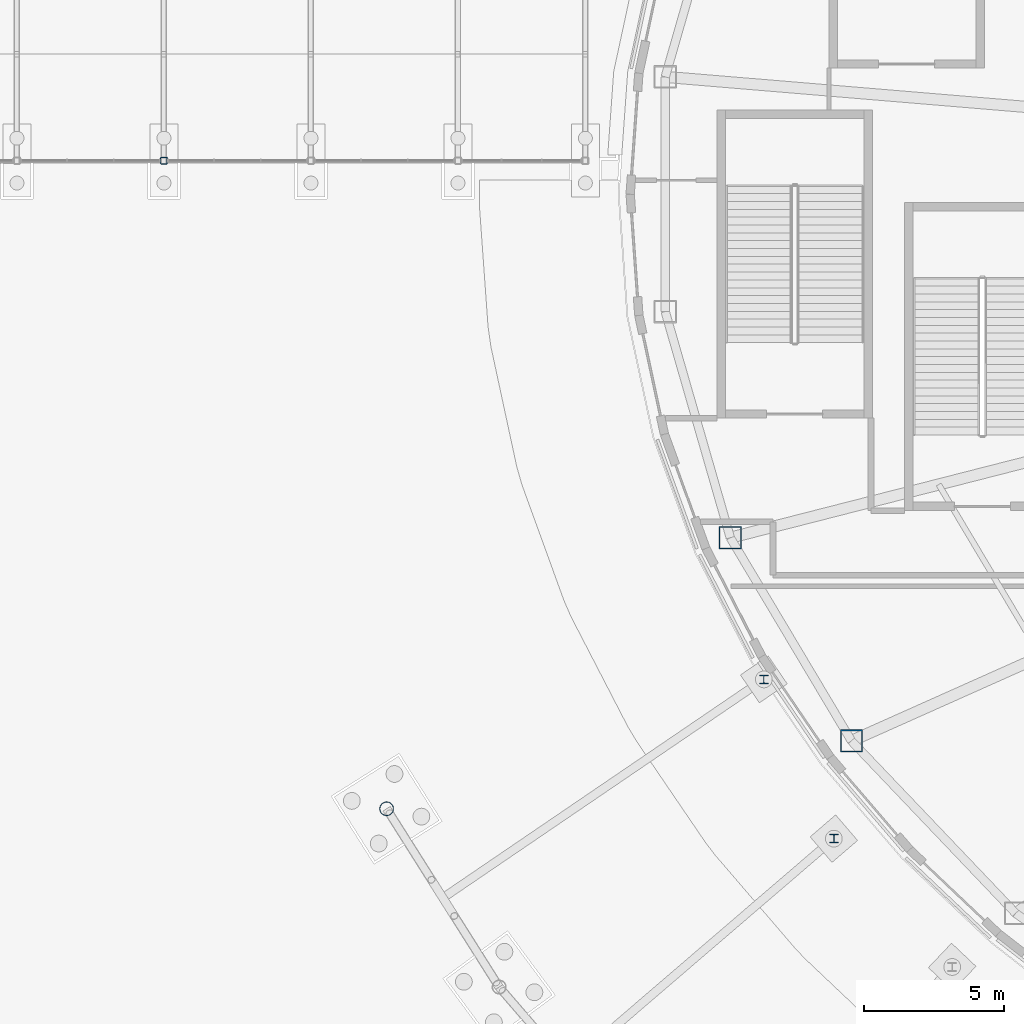
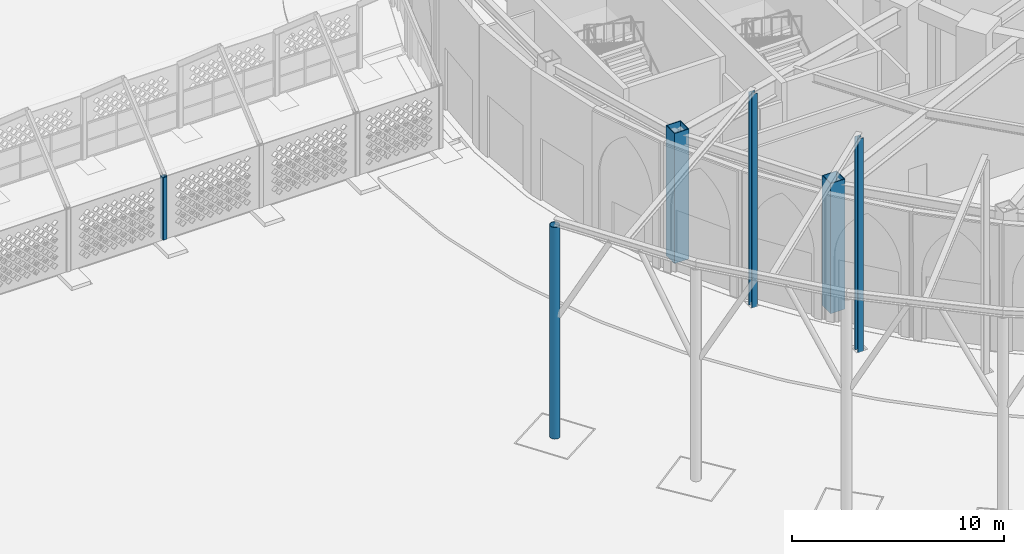
# One storey, part 8 of 79: 6 columns.
"""IFC4 building model written with IfcOpenShell, lengths in metres."""

from ifc_helpers import new_model, si_unit, direction, frame, origin, origin_2d, place, context, subcontext, project, spatial, hollow_rectangle, hollow_circle, i_section, extrude, material, material_profile, profile_set, type_object, element, save


model = new_model("IFC4")

# Units and contexts
model_context = context("Model", 3, precision=1e-05, world=origin(), true_north=direction((0.0, 1.0)))
body_context = subcontext(model_context, "Body", "Model", "MODEL_VIEW")
ifc_project = project(units=[si_unit("LENGTHUNIT", "METRE"), si_unit("AREAUNIT", "SQUARE_METRE"), si_unit("VOLUMEUNIT", "CUBIC_METRE"), si_unit("PLANEANGLEUNIT", "RADIAN"), si_unit("MASSUNIT", "GRAM", prefix="KILO")], contexts=[model_context])

# Site, building, storey
site_placement = place(None, origin())
site = spatial("IfcSite", under=ifc_project, at=site_placement, CompositionType="ELEMENT")
building_placement = place(site_placement, origin())
building = spatial("IfcBuilding", under=site, at=building_placement, Name="Noorbagh Ring Tower", CompositionType="ELEMENT")
storey_placement = place(building_placement, origin())
storey = spatial("IfcBuildingStorey", under=building, at=storey_placement, Name="L00", CompositionType="ELEMENT", Elevation=0.0)

# Columns
ifc_material_1 = material(Name="Steel S355", Category="steel")
ifc_material_profile_1 = material_profile(ifc_material_1, hollow_rectangle(XDim=0.25, YDim=0.25, WallThickness=0.01611328125, InnerFilletRadius=0.01611328125, OuterFilletRadius=0.0400390625, at=origin_2d()), Name="SHS250x250x16")
ifc_profile_set_1 = profile_set([ifc_material_profile_1], Name="Steel S355")
column_type_1 = type_object("IfcColumnType", Name="AR-COL", PredefinedType="COLUMN", material=ifc_profile_set_1)
column_1_placement = place(storey_placement, frame((-68.25, 1.199951171875, 0.0), z_axis=(0.0, 0.0, 1.0), x_axis=(1.0, 0.0, 0.0)))
element("IfcColumn", 1, at=column_1_placement, inside=storey, type_object=column_type_1, Name="L00/ar-col/6S", PredefinedType="COLUMN", context=body_context, shape_type="SweptSolid", body=[
    extrude(hollow_rectangle(XDim=0.25, YDim=0.25, WallThickness=0.01611328125, InnerFilletRadius=0.01611328125, OuterFilletRadius=0.0400390625, at=origin_2d()), origin(), (0.0, 0.0, 1.0), 3.60009765625),
])
ifc_material_2 = material(Name="Steel S355", Category="steel")
ifc_material_profile_2 = material_profile(ifc_material_2, hollow_circle(Radius=0.25390625, WallThickness=0.02490234375, at=origin_2d()), Name="CHS508x25")
ifc_profile_set_2 = profile_set([ifc_material_profile_2], Name="Steel S355")
column_type_2 = type_object("IfcColumnType", Name="GND-CANOPY-TRUNK", PredefinedType="COLUMN", material=ifc_profile_set_2)
column_2_placement = place(storey_placement, frame((-60.2978515625, -21.94677734375, -0.14990234375), z_axis=(0.0, 0.0, 1.0), x_axis=(1.0, 0.0, 0.0)))
element("IfcColumn", 2, at=column_2_placement, inside=storey, type_object=column_type_2, Name="Canopy trunk 1", PredefinedType="COLUMN", context=body_context, shape_type="SweptSolid", body=[
    extrude(hollow_circle(Radius=0.25390625, WallThickness=0.02490234375, at=origin_2d()), origin(), (0.0, 0.0, 1.0), 12.199951171875),
])
ifc_material_3 = material(Name="Steel S355", Category="steel")
ifc_material_profile_3 = material_profile(ifc_material_3, hollow_rectangle(XDim=0.800048828125, YDim=0.800048828125, WallThickness=0.0400390625, at=origin_2d()), Name="BOX800x800x40")
ifc_profile_set_3 = profile_set([ifc_material_profile_3], Name="Steel S355")
column_type_3 = type_object("IfcColumnType", Name="GND-COL-BOX800x800x40", PredefinedType="COLUMN", material=ifc_profile_set_3)
for number, where, z_axis, x_axis, name in (
    (3, (-48.0224609375, -12.266845703125, 0.0), (0.0, 0.0, 1.0), (1.0, 0.0, 0.0), "L00/col/RP-19"),
    (4, (-43.6962890625, -19.52490234375, 0.0), (0.0, 0.0, 1.0), (1.0, 0.0, 0.0), "L00/col/RP-20"),
):
    element("IfcColumn", number, at=place(storey_placement, frame(where, z_axis=z_axis, x_axis=x_axis)), inside=storey, type_object=column_type_3, Name=name, PredefinedType="COLUMN", context=body_context, shape_type="SweptSolid", body=[
        extrude(hollow_rectangle(XDim=0.800048828125, YDim=0.800048828125, WallThickness=0.0400390625, at=origin_2d()), origin(), (0.0, 0.0, 1.0), 7.5),
    ])
ifc_material_4 = material(Name="Steel S355", Category="steel")
ifc_material_profile_4 = material_profile(ifc_material_4, i_section(OverallWidth=0.300048828125, OverallDepth=0.300048828125, WebThickness=0.010986328125, FlangeThickness=0.01904296875, FilletRadius=0.027099609375, at=origin_2d()), Name="HEB300")
ifc_profile_set_4 = profile_set([ifc_material_profile_4], Name="Steel S355")
column_type_4 = type_object("IfcColumnType", Name="GND-LINK-POST", PredefinedType="COLUMN", material=ifc_profile_set_4)
for number, where, z_axis, x_axis, name in (
    (5, (-46.825439453125, -17.3271484375, -0.14990234375), (0.0, 0.0, 1.0), (1.0, 0.0, 0.0), "Canopy link post 1"),
    (6, (-44.3251953125, -23.014404296875, -0.14990234375), (0.0, 0.0, 1.0), (1.0, 0.0, 0.0), "Canopy link post 2"),
):
    element("IfcColumn", number, at=place(storey_placement, frame(where, z_axis=z_axis, x_axis=x_axis)), inside=storey, type_object=column_type_4, Name=name, PredefinedType="COLUMN", context=body_context, shape_type="SweptSolid", body=[
        extrude(i_section(OverallWidth=0.300048828125, OverallDepth=0.300048828125, WebThickness=0.010986328125, FlangeThickness=0.01904296875, FilletRadius=0.027099609375, at=origin_2d()), origin(), (0.0, 0.0, 1.0), 12.2998046875),
    ])

save(model, "model.ifc")
